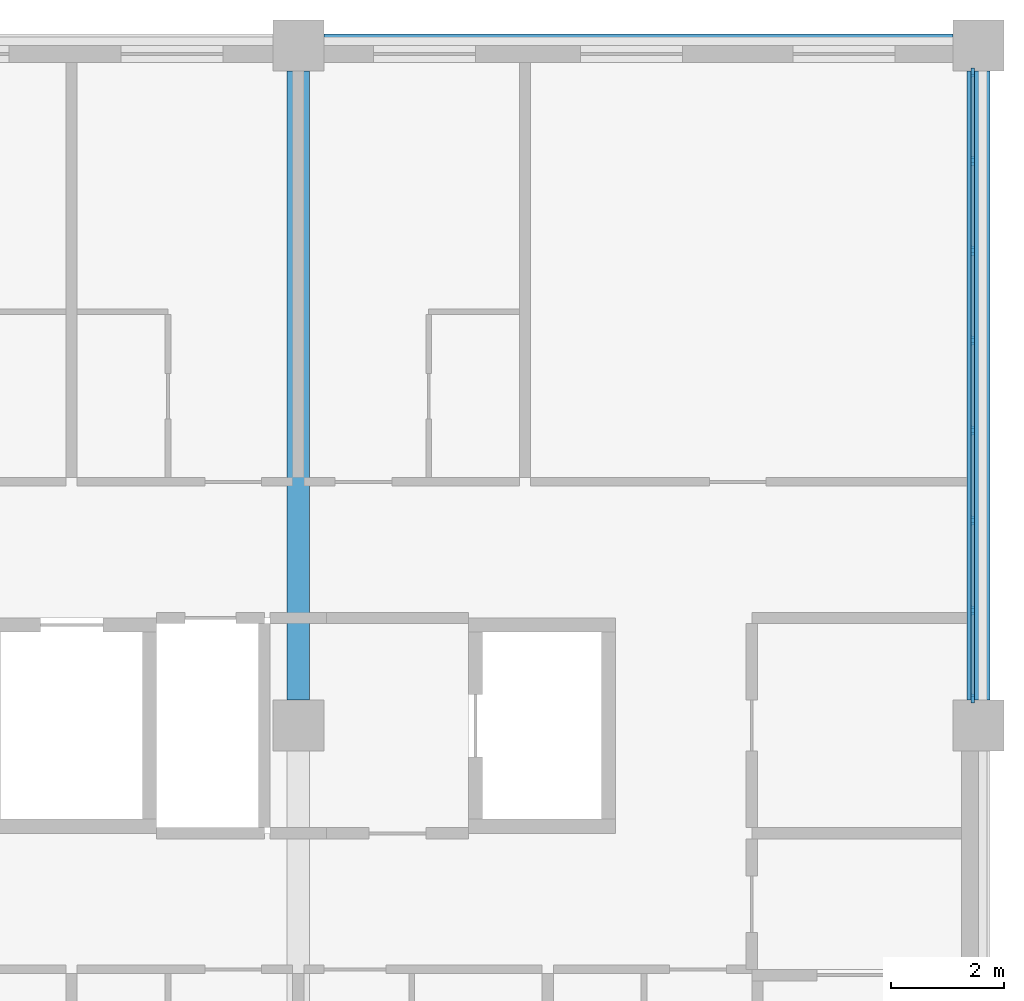
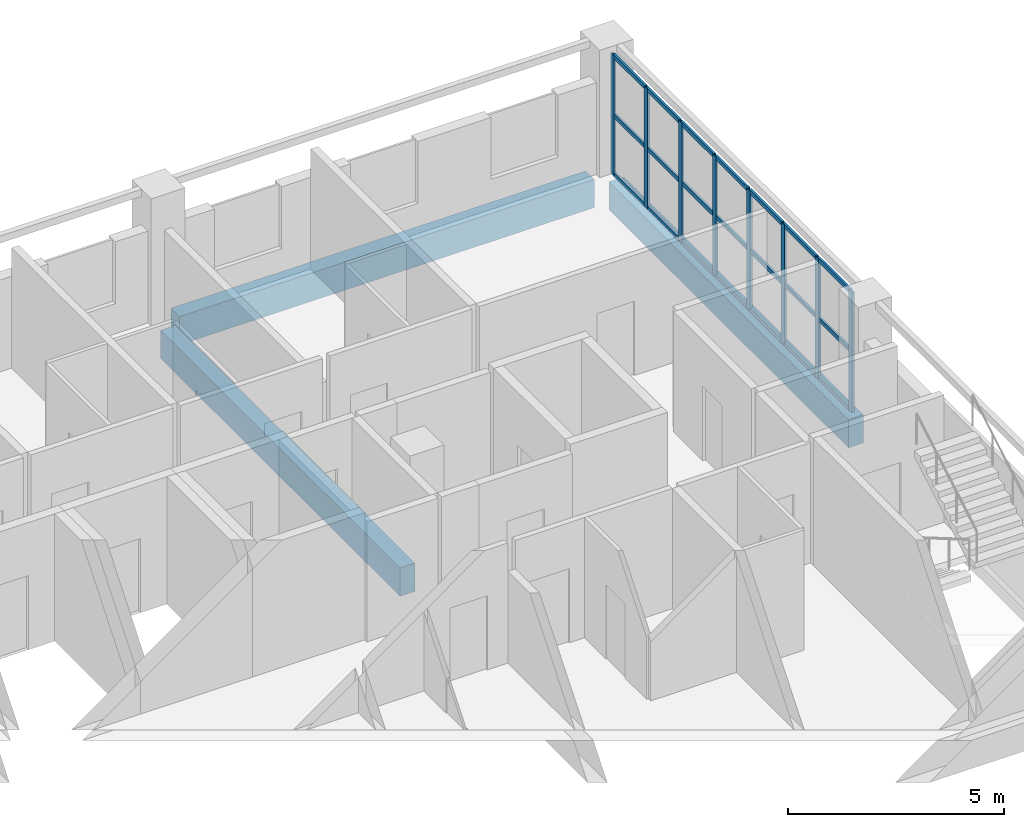
# One storey, part 4 of 11: 29 members, 3 beams, 1 element without a shape of its own.
"""IFC4 building model written with IfcOpenShell, lengths in metres."""

from ifc_helpers import new_model, si_unit, direction, frame, origin, origin_2d, place, context, subcontext, project, spatial, rectangle, extrude, material, layer, layer_set, material_profile, profile_set, type_object, element, aggregate, save


model = new_model("IFC4")

# Units and contexts
model_context = context("Model", 3, precision=1e-05, world=origin(), true_north=direction((0.0, 1.0)))
body_context = subcontext(model_context, "Body", "Model", "MODEL_VIEW")
ifc_project = project(units=[si_unit("LENGTHUNIT", "METRE"), si_unit("AREAUNIT", "SQUARE_METRE"), si_unit("VOLUMEUNIT", "CUBIC_METRE"), si_unit("PLANEANGLEUNIT", "RADIAN"), si_unit("MASSUNIT", "GRAM", prefix="KILO")], contexts=[model_context])

# Site, building, storey
site_placement = place(None, origin())
site = spatial("IfcSite", under=ifc_project, at=site_placement, CompositionType="ELEMENT")
building_placement = place(site_placement, origin())
building = spatial("IfcBuilding", under=site, at=building_placement, Name="Lilac Gate Convention Centre", CompositionType="ELEMENT")
storey_placement = place(building_placement, frame((0.0, 0.0, 28.199951171875)))
storey = spatial("IfcBuildingStorey", under=building, at=storey_placement, Name="L06", CompositionType="ELEMENT", Elevation=28.199951171875)

# Curtain wall, members
ifc_material_1 = material(Name="Aluminium framed double glazing", Category="aluminium")
ifc_layer = layer(ifc_material_1, 0.199951171875)
ifc_layer_set = layer_set([ifc_layer], Name="Aluminium framed double glazing")
curtain_wall_type = type_object("IfcCurtainWallType", Name="Unitised curtain wall 1500", PredefinedType="NOTDEFINED", material=ifc_layer_set)
curtain_wall_placement = place(storey_placement, origin())
curtain_wall = element("IfcCurtainWall", 1, at=curtain_wall_placement, inside=storey, type_object=curtain_wall_type, Name="Curtain wall E L06 2", PredefinedType="NOTDEFINED")
ifc_material_2 = material(Name="Aluminium alloy 6063", Category="aluminium")
ifc_material_profile_1 = material_profile(ifc_material_2, rectangle(XDim=0.06005859375, YDim=0.159912109375, at=origin_2d()), Name="Curtain wall mullion 60 x 160")
ifc_profile_set_1 = profile_set([ifc_material_profile_1], Name="Aluminium alloy 6063")
member_type_1 = type_object("IfcMemberType", Name="Curtain wall mullion 60 x 160", PredefinedType="MULLION", material=ifc_profile_set_1)
member_1_placement = place(storey_placement, frame((89.89990234375, 234.47998046875, 0.0), z_axis=(0.0, 0.0, 1.0), x_axis=(-1.0, 0.0, 0.0)))
member_1 = element("IfcMember", 2, at=member_1_placement, type_object=member_type_1, Name="CW mullion 1", PredefinedType="MULLION", context=body_context, shape_type="SweptSolid", body=[
    extrude(rectangle(XDim=0.06005859375, YDim=0.159912109375, at=origin_2d()), origin(), (0.0, 0.0, 1.0), 3.400146484375),
])
member_2_placement = place(storey_placement, frame((89.89990234375, 236.03564453125, 0.0), z_axis=(0.0, 0.0, 1.0), x_axis=(-1.0, 0.0, 0.0)))
member_2 = element("IfcMember", 3, at=member_2_placement, type_object=member_type_1, Name="CW mullion 2", PredefinedType="MULLION", context=body_context, shape_type="SweptSolid", body=[
    extrude(rectangle(XDim=0.06005859375, YDim=0.159912109375, at=origin_2d()), origin(), (0.0, 0.0, 1.0), 3.400146484375),
])
member_3_placement = place(storey_placement, frame((89.89990234375, 237.621337890625, 0.0), z_axis=(0.0, 0.0, 1.0), x_axis=(-1.0, 0.0, 0.0)))
member_3 = element("IfcMember", 4, at=member_3_placement, type_object=member_type_1, Name="CW mullion 3", PredefinedType="MULLION", context=body_context, shape_type="SweptSolid", body=[
    extrude(rectangle(XDim=0.06005859375, YDim=0.159912109375, at=origin_2d()), origin(), (0.0, 0.0, 1.0), 3.400146484375),
])
member_4_placement = place(storey_placement, frame((89.89990234375, 239.20703125, 0.0), z_axis=(0.0, 0.0, 1.0), x_axis=(-1.0, 0.0, 0.0)))
member_4 = element("IfcMember", 5, at=member_4_placement, type_object=member_type_1, Name="CW mullion 4", PredefinedType="MULLION", context=body_context, shape_type="SweptSolid", body=[
    extrude(rectangle(XDim=0.06005859375, YDim=0.159912109375, at=origin_2d()), origin(), (0.0, 0.0, 1.0), 3.400146484375),
])
member_5_placement = place(storey_placement, frame((89.89990234375, 240.79296875, 0.0), z_axis=(0.0, 0.0, 1.0), x_axis=(-1.0, 0.0, 0.0)))
member_5 = element("IfcMember", 6, at=member_5_placement, type_object=member_type_1, Name="CW mullion 5", PredefinedType="MULLION", context=body_context, shape_type="SweptSolid", body=[
    extrude(rectangle(XDim=0.06005859375, YDim=0.159912109375, at=origin_2d()), origin(), (0.0, 0.0, 1.0), 3.400146484375),
])
member_6_placement = place(storey_placement, frame((89.89990234375, 242.378662109375, 0.0), z_axis=(0.0, 0.0, 1.0), x_axis=(-1.0, 0.0, 0.0)))
member_6 = element("IfcMember", 7, at=member_6_placement, type_object=member_type_1, Name="CW mullion 6", PredefinedType="MULLION", context=body_context, shape_type="SweptSolid", body=[
    extrude(rectangle(XDim=0.06005859375, YDim=0.159912109375, at=origin_2d()), origin(), (0.0, 0.0, 1.0), 3.400146484375),
])
member_7_placement = place(storey_placement, frame((89.89990234375, 243.96435546875, 0.0), z_axis=(0.0, 0.0, 1.0), x_axis=(-1.0, 0.0, 0.0)))
member_7 = element("IfcMember", 8, at=member_7_placement, type_object=member_type_1, Name="CW mullion 7", PredefinedType="MULLION", context=body_context, shape_type="SweptSolid", body=[
    extrude(rectangle(XDim=0.06005859375, YDim=0.159912109375, at=origin_2d()), origin(), (0.0, 0.0, 1.0), 3.400146484375),
])
member_8_placement = place(storey_placement, frame((89.89990234375, 245.52001953125, 0.0), z_axis=(0.0, 0.0, 1.0), x_axis=(-1.0, 0.0, 0.0)))
member_8 = element("IfcMember", 9, at=member_8_placement, type_object=member_type_1, Name="CW mullion 8", PredefinedType="MULLION", context=body_context, shape_type="SweptSolid", body=[
    extrude(rectangle(XDim=0.06005859375, YDim=0.159912109375, at=origin_2d()), origin(), (0.0, 0.0, 1.0), 3.400146484375),
])
ifc_material_profile_2 = material_profile(ifc_material_2, rectangle(XDim=0.06005859375, YDim=0.1201171875, at=origin_2d()), Name="Curtain wall transom 60 x 120")
ifc_profile_set_2 = profile_set([ifc_material_profile_2], Name="Aluminium alloy 6063")
member_type_2 = type_object("IfcMemberType", Name="Curtain wall transom 60 x 120", PredefinedType="USERDEFINED", material=ifc_profile_set_2)
member_9_placement = place(storey_placement, frame((89.89990234375, 234.510009765625, 0.030029296875), z_axis=(0.0, 1.0, 0.0), x_axis=(-1.0, 0.0, 0.0)))
member_9 = element("IfcMember", 10, at=member_9_placement, type_object=member_type_2, Name="CW transom 1.1", ObjectType="TRANSOM", PredefinedType="USERDEFINED", context=body_context, shape_type="SweptSolid", body=[
    extrude(rectangle(XDim=0.06005859375, YDim=0.1201171875, at=origin_2d()), origin(), (0.0, 0.0, 1.0), 1.49560546875),
])
member_10_placement = place(storey_placement, frame((89.89990234375, 234.510009765625, 1.699951171875), z_axis=(0.0, 1.0, 0.0), x_axis=(-1.0, 0.0, 0.0)))
member_10 = element("IfcMember", 11, at=member_10_placement, type_object=member_type_2, Name="CW transom 1.2", ObjectType="TRANSOM", PredefinedType="USERDEFINED", context=body_context, shape_type="SweptSolid", body=[
    extrude(rectangle(XDim=0.06005859375, YDim=0.1201171875, at=origin_2d()), origin(), (0.0, 0.0, 1.0), 1.49560546875),
])
member_11_placement = place(storey_placement, frame((89.89990234375, 234.510009765625, 3.3701171875), z_axis=(0.0, 1.0, 0.0), x_axis=(-1.0, 0.0, 0.0)))
member_11 = element("IfcMember", 12, at=member_11_placement, type_object=member_type_2, Name="CW transom 1.3", ObjectType="TRANSOM", PredefinedType="USERDEFINED", context=body_context, shape_type="SweptSolid", body=[
    extrude(rectangle(XDim=0.06005859375, YDim=0.1201171875, at=origin_2d()), origin(), (0.0, 0.0, 1.0), 1.49560546875),
])
member_12_placement = place(storey_placement, frame((89.89990234375, 236.065673828125, 0.030029296875), z_axis=(0.0, 1.0, 0.0), x_axis=(-1.0, 0.0, 0.0)))
member_12 = element("IfcMember", 13, at=member_12_placement, type_object=member_type_2, Name="CW transom 2.1", ObjectType="TRANSOM", PredefinedType="USERDEFINED", context=body_context, shape_type="SweptSolid", body=[
    extrude(rectangle(XDim=0.06005859375, YDim=0.1201171875, at=origin_2d()), origin(), (0.0, 0.0, 1.0), 1.525634765625),
])
member_13_placement = place(storey_placement, frame((89.89990234375, 236.065673828125, 1.699951171875), z_axis=(0.0, 1.0, 0.0), x_axis=(-1.0, 0.0, 0.0)))
member_13 = element("IfcMember", 14, at=member_13_placement, type_object=member_type_2, Name="CW transom 2.2", ObjectType="TRANSOM", PredefinedType="USERDEFINED", context=body_context, shape_type="SweptSolid", body=[
    extrude(rectangle(XDim=0.06005859375, YDim=0.1201171875, at=origin_2d()), origin(), (0.0, 0.0, 1.0), 1.525634765625),
])
member_14_placement = place(storey_placement, frame((89.89990234375, 236.065673828125, 3.3701171875), z_axis=(0.0, 1.0, 0.0), x_axis=(-1.0, 0.0, 0.0)))
member_14 = element("IfcMember", 15, at=member_14_placement, type_object=member_type_2, Name="CW transom 2.3", ObjectType="TRANSOM", PredefinedType="USERDEFINED", context=body_context, shape_type="SweptSolid", body=[
    extrude(rectangle(XDim=0.06005859375, YDim=0.1201171875, at=origin_2d()), origin(), (0.0, 0.0, 1.0), 1.525634765625),
])
member_15_placement = place(storey_placement, frame((89.89990234375, 237.6513671875, 0.030029296875), z_axis=(0.0, 1.0, 0.0), x_axis=(-1.0, 0.0, 0.0)))
member_15 = element("IfcMember", 16, at=member_15_placement, type_object=member_type_2, Name="CW transom 3.1", ObjectType="TRANSOM", PredefinedType="USERDEFINED", context=body_context, shape_type="SweptSolid", body=[
    extrude(rectangle(XDim=0.06005859375, YDim=0.1201171875, at=origin_2d()), origin(), (0.0, 0.0, 1.0), 1.52587890625),
])
member_16_placement = place(storey_placement, frame((89.89990234375, 237.6513671875, 1.699951171875), z_axis=(0.0, 1.0, 0.0), x_axis=(-1.0, 0.0, 0.0)))
member_16 = element("IfcMember", 17, at=member_16_placement, type_object=member_type_2, Name="CW transom 3.2", ObjectType="TRANSOM", PredefinedType="USERDEFINED", context=body_context, shape_type="SweptSolid", body=[
    extrude(rectangle(XDim=0.06005859375, YDim=0.1201171875, at=origin_2d()), origin(), (0.0, 0.0, 1.0), 1.52587890625),
])
member_17_placement = place(storey_placement, frame((89.89990234375, 237.6513671875, 3.3701171875), z_axis=(0.0, 1.0, 0.0), x_axis=(-1.0, 0.0, 0.0)))
member_17 = element("IfcMember", 18, at=member_17_placement, type_object=member_type_2, Name="CW transom 3.3", ObjectType="TRANSOM", PredefinedType="USERDEFINED", context=body_context, shape_type="SweptSolid", body=[
    extrude(rectangle(XDim=0.06005859375, YDim=0.1201171875, at=origin_2d()), origin(), (0.0, 0.0, 1.0), 1.52587890625),
])
member_18_placement = place(storey_placement, frame((89.89990234375, 239.237060546875, 0.030029296875), z_axis=(0.0, 1.0, 0.0), x_axis=(-1.0, 0.0, 0.0)))
member_18 = element("IfcMember", 19, at=member_18_placement, type_object=member_type_2, Name="CW transom 4.1", ObjectType="TRANSOM", PredefinedType="USERDEFINED", context=body_context, shape_type="SweptSolid", body=[
    extrude(rectangle(XDim=0.06005859375, YDim=0.1201171875, at=origin_2d()), origin(), (0.0, 0.0, 1.0), 1.52587890625),
])
member_19_placement = place(storey_placement, frame((89.89990234375, 239.237060546875, 1.699951171875), z_axis=(0.0, 1.0, 0.0), x_axis=(-1.0, 0.0, 0.0)))
member_19 = element("IfcMember", 20, at=member_19_placement, type_object=member_type_2, Name="CW transom 4.2", ObjectType="TRANSOM", PredefinedType="USERDEFINED", context=body_context, shape_type="SweptSolid", body=[
    extrude(rectangle(XDim=0.06005859375, YDim=0.1201171875, at=origin_2d()), origin(), (0.0, 0.0, 1.0), 1.52587890625),
])
member_20_placement = place(storey_placement, frame((89.89990234375, 239.237060546875, 3.3701171875), z_axis=(0.0, 1.0, 0.0), x_axis=(-1.0, 0.0, 0.0)))
member_20 = element("IfcMember", 21, at=member_20_placement, type_object=member_type_2, Name="CW transom 4.3", ObjectType="TRANSOM", PredefinedType="USERDEFINED", context=body_context, shape_type="SweptSolid", body=[
    extrude(rectangle(XDim=0.06005859375, YDim=0.1201171875, at=origin_2d()), origin(), (0.0, 0.0, 1.0), 1.52587890625),
])
member_21_placement = place(storey_placement, frame((89.89990234375, 240.82275390625, 0.030029296875), z_axis=(0.0, 1.0, 0.0), x_axis=(-1.0, 0.0, 0.0)))
member_21 = element("IfcMember", 22, at=member_21_placement, type_object=member_type_2, Name="CW transom 5.1", ObjectType="TRANSOM", PredefinedType="USERDEFINED", context=body_context, shape_type="SweptSolid", body=[
    extrude(rectangle(XDim=0.06005859375, YDim=0.1201171875, at=origin_2d()), origin(), (0.0, 0.0, 1.0), 1.52587890625),
])
member_22_placement = place(storey_placement, frame((89.89990234375, 240.82275390625, 1.699951171875), z_axis=(0.0, 1.0, 0.0), x_axis=(-1.0, 0.0, 0.0)))
member_22 = element("IfcMember", 23, at=member_22_placement, type_object=member_type_2, Name="CW transom 5.2", ObjectType="TRANSOM", PredefinedType="USERDEFINED", context=body_context, shape_type="SweptSolid", body=[
    extrude(rectangle(XDim=0.06005859375, YDim=0.1201171875, at=origin_2d()), origin(), (0.0, 0.0, 1.0), 1.52587890625),
])
member_23_placement = place(storey_placement, frame((89.89990234375, 240.82275390625, 3.3701171875), z_axis=(0.0, 1.0, 0.0), x_axis=(-1.0, 0.0, 0.0)))
member_23 = element("IfcMember", 24, at=member_23_placement, type_object=member_type_2, Name="CW transom 5.3", ObjectType="TRANSOM", PredefinedType="USERDEFINED", context=body_context, shape_type="SweptSolid", body=[
    extrude(rectangle(XDim=0.06005859375, YDim=0.1201171875, at=origin_2d()), origin(), (0.0, 0.0, 1.0), 1.52587890625),
])
member_24_placement = place(storey_placement, frame((89.89990234375, 242.40869140625, 0.030029296875), z_axis=(0.0, 1.0, 0.0), x_axis=(-1.0, 0.0, 0.0)))
member_24 = element("IfcMember", 25, at=member_24_placement, type_object=member_type_2, Name="CW transom 6.1", ObjectType="TRANSOM", PredefinedType="USERDEFINED", context=body_context, shape_type="SweptSolid", body=[
    extrude(rectangle(XDim=0.06005859375, YDim=0.1201171875, at=origin_2d()), origin(), (0.0, 0.0, 1.0), 1.525634765625),
])
member_25_placement = place(storey_placement, frame((89.89990234375, 242.40869140625, 1.699951171875), z_axis=(0.0, 1.0, 0.0), x_axis=(-1.0, 0.0, 0.0)))
member_25 = element("IfcMember", 26, at=member_25_placement, type_object=member_type_2, Name="CW transom 6.2", ObjectType="TRANSOM", PredefinedType="USERDEFINED", context=body_context, shape_type="SweptSolid", body=[
    extrude(rectangle(XDim=0.06005859375, YDim=0.1201171875, at=origin_2d()), origin(), (0.0, 0.0, 1.0), 1.525634765625),
])
member_26_placement = place(storey_placement, frame((89.89990234375, 242.40869140625, 3.3701171875), z_axis=(0.0, 1.0, 0.0), x_axis=(-1.0, 0.0, 0.0)))
member_26 = element("IfcMember", 27, at=member_26_placement, type_object=member_type_2, Name="CW transom 6.3", ObjectType="TRANSOM", PredefinedType="USERDEFINED", context=body_context, shape_type="SweptSolid", body=[
    extrude(rectangle(XDim=0.06005859375, YDim=0.1201171875, at=origin_2d()), origin(), (0.0, 0.0, 1.0), 1.525634765625),
])
member_27_placement = place(storey_placement, frame((89.89990234375, 243.994384765625, 0.030029296875), z_axis=(0.0, 1.0, 0.0), x_axis=(-1.0, 0.0, 0.0)))
member_27 = element("IfcMember", 28, at=member_27_placement, type_object=member_type_2, Name="CW transom 7.1", ObjectType="TRANSOM", PredefinedType="USERDEFINED", context=body_context, shape_type="SweptSolid", body=[
    extrude(rectangle(XDim=0.06005859375, YDim=0.1201171875, at=origin_2d()), origin(), (0.0, 0.0, 1.0), 1.49560546875),
])
member_28_placement = place(storey_placement, frame((89.89990234375, 243.994384765625, 1.699951171875), z_axis=(0.0, 1.0, 0.0), x_axis=(-1.0, 0.0, 0.0)))
member_28 = element("IfcMember", 29, at=member_28_placement, type_object=member_type_2, Name="CW transom 7.2", ObjectType="TRANSOM", PredefinedType="USERDEFINED", context=body_context, shape_type="SweptSolid", body=[
    extrude(rectangle(XDim=0.06005859375, YDim=0.1201171875, at=origin_2d()), origin(), (0.0, 0.0, 1.0), 1.49560546875),
])
member_29_placement = place(storey_placement, frame((89.89990234375, 243.994384765625, 3.3701171875), z_axis=(0.0, 1.0, 0.0), x_axis=(-1.0, 0.0, 0.0)))
member_29 = element("IfcMember", 30, at=member_29_placement, type_object=member_type_2, Name="CW transom 7.3", ObjectType="TRANSOM", PredefinedType="USERDEFINED", context=body_context, shape_type="SweptSolid", body=[
    extrude(rectangle(XDim=0.06005859375, YDim=0.1201171875, at=origin_2d()), origin(), (0.0, 0.0, 1.0), 1.49560546875),
])
aggregate(curtain_wall, [member_1, member_2, member_3, member_4, member_5, member_6, member_7, member_8, member_9, member_10, member_11, member_12, member_13, member_14, member_15, member_16, member_17, member_18, member_19, member_20, member_21, member_22, member_23, member_24, member_25, member_26, member_27, member_28, member_29])

# Beams
ifc_material_3 = material(Name="Concrete C40", Category="concrete")
ifc_material_profile_3 = material_profile(ifc_material_3, rectangle(XDim=0.39990234375, YDim=0.800048828125, at=origin_2d()), Name="RC 400x800")
ifc_profile_set_3 = profile_set([ifc_material_profile_3], Name="Concrete C40")
beam_type = type_object("IfcBeamType", Name="Tower primary beam 400x800 C40", PredefinedType="BEAM", material=ifc_profile_set_3)
for number, where, z_axis, x_axis, name in (
    (31, (78.449951171875, 246.0, -0.599853515625), (1.0, 0.0, 0.0), (0.0, 1.0, 0.0), "RB3 L06 7/U-8/U"),
    (32, (78.0, 234.449951171875, -0.599853515625), (0.0, 1.0, 0.0), (-1.0, 0.0, 0.0), "RB3 L06 7/T-7/U"),
    (33, (90.0, 234.449951171875, -0.599853515625), (0.0, 1.0, 0.0), (-1.0, 0.0, 0.0), "RB3 L06 8/T-8/U"),
):
    element("IfcBeam", number, at=place(storey_placement, frame(where, z_axis=z_axis, x_axis=x_axis)), inside=storey, type_object=beam_type, Name=name, PredefinedType="BEAM", context=body_context, shape_type="SweptSolid", body=[
        extrude(rectangle(XDim=0.39990234375, YDim=0.800048828125, at=origin_2d()), origin(), (0.0, 0.0, 1.0), 11.10009765625),
    ])

save(model, "model.ifc")
